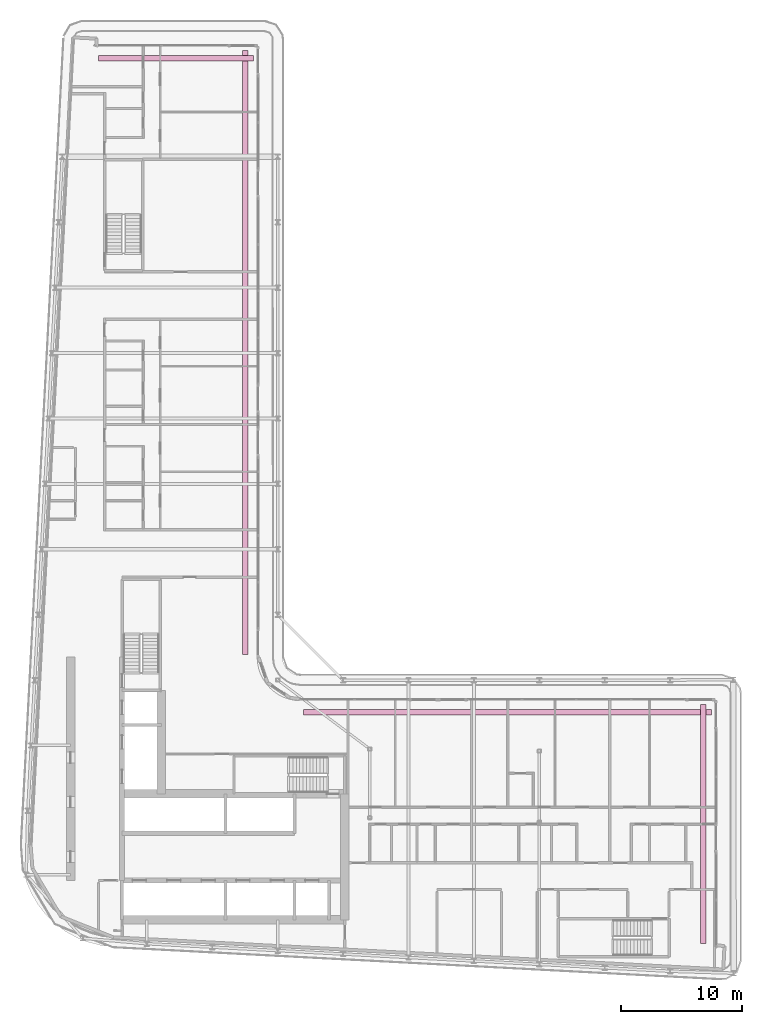
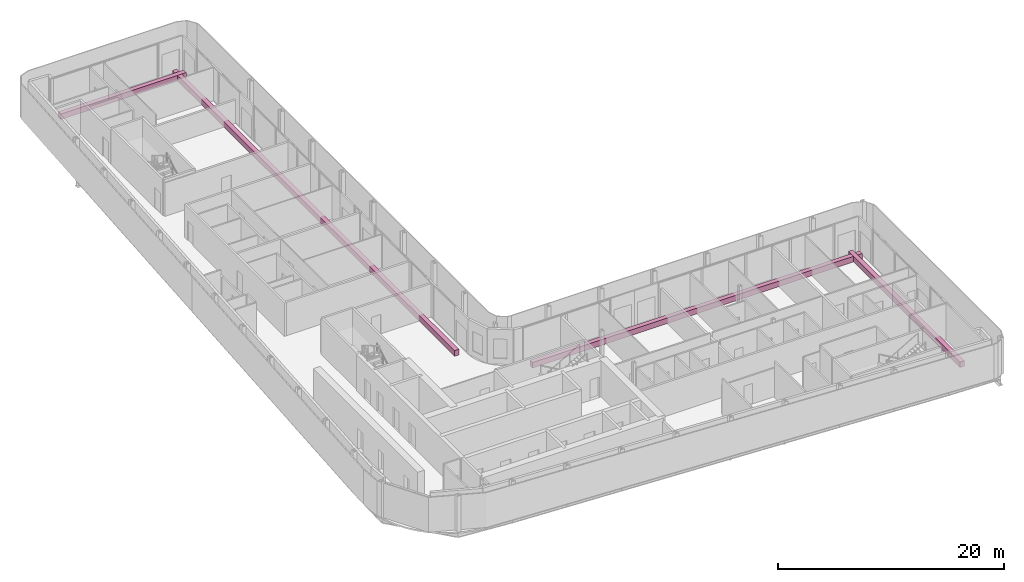
# One storey, part 23 of 23: 4 furniture elements.
"""IFC4 building model written with IfcOpenShell, lengths in metres."""

from ifc_helpers import new_model, si_unit, direction, frame, origin, origin_2d, place, context, subcontext, project, spatial, rectangle, extrude, material, type_object, element, save


model = new_model("IFC4")

# Units and contexts
model_context = context("Model", 3, precision=1e-05, world=origin(), true_north=direction((0.0, 1.0)))
body_context = subcontext(model_context, "Body", "Model", "MODEL_VIEW")
ifc_project = project(units=[si_unit("LENGTHUNIT", "METRE"), si_unit("AREAUNIT", "SQUARE_METRE"), si_unit("VOLUMEUNIT", "CUBIC_METRE"), si_unit("PLANEANGLEUNIT", "RADIAN"), si_unit("MASSUNIT", "GRAM", prefix="KILO")], contexts=[model_context])

# Site, building, storey
site_placement = place(None, origin())
site = spatial("IfcSite", under=ifc_project, at=site_placement, CompositionType="ELEMENT")
building_placement = place(site_placement, origin())
building = spatial("IfcBuilding", under=site, at=building_placement, Name="Kheshtan School and Residences Tower", CompositionType="ELEMENT")
storey_placement = place(building_placement, frame((0.0, 0.0, 247.39990234375)))
storey = spatial("IfcBuildingStorey", under=building, at=storey_placement, Name="L58", CompositionType="ELEMENT", Elevation=247.39990234375)

# Furniture
ifc_material = material(Name="Precast concrete C30/37 in terracotta finish", Category="masonry")
furniture_type = type_object("IfcFurnitureType", Name="Planter trough", AssemblyPlace="NOTDEFINED", PredefinedType="USERDEFINED", material=ifc_material)
furniture_1_placement = place(storey_placement, frame((39.196044921875, 96.925048828125, 0.0), z_axis=(0.0, 0.0, 1.0), x_axis=(1.0, 0.0, 0.0)))
element("IfcFurniture", 1, at=furniture_1_placement, inside=storey, type_object=furniture_type, Name="Planter L58", ObjectType="PLANTER", PredefinedType="USERDEFINED", context=body_context, shape_type="SweptSolid", body=[
    extrude(rectangle(XDim=12.80810546875, YDim=0.449951171875, at=origin_2d()), origin(), (0.0, 0.0, 1.0), 0.60009765625),
])
furniture_2_placement = place(storey_placement, frame((44.925048828125, 72.6650390625, 0.0), z_axis=(0.0, 0.0, 1.0), x_axis=(0.0, -1.0, 0.0)))
element("IfcFurniture", 2, at=furniture_2_placement, inside=storey, type_object=furniture_type, Name="Planter L58", ObjectType="PLANTER", PredefinedType="USERDEFINED", context=body_context, shape_type="SweptSolid", body=[
    extrude(rectangle(XDim=49.8701171875, YDim=0.449951171875, at=origin_2d()), origin(), (0.0, 0.0, 1.0), 0.60009765625),
])
furniture_3_placement = place(storey_placement, frame((66.56494140625, 42.925048828125, 0.0), z_axis=(0.0, 0.0, 1.0), x_axis=(1.0, 0.0, 0.0)))
element("IfcFurniture", 3, at=furniture_3_placement, inside=storey, type_object=furniture_type, Name="Planter L58", ObjectType="PLANTER", PredefinedType="USERDEFINED", context=body_context, shape_type="SweptSolid", body=[
    extrude(rectangle(XDim=33.669921875, YDim=0.449951171875, at=origin_2d()), origin(), (0.0, 0.0, 1.0), 0.60009765625),
])
furniture_4_placement = place(storey_placement, frame((82.72509765625, 33.73291015625, 0.0), z_axis=(0.0, 0.0, 1.0), x_axis=(0.0, -1.0, 0.0)))
element("IfcFurniture", 4, at=furniture_4_placement, inside=storey, type_object=furniture_type, Name="Planter L58", ObjectType="PLANTER", PredefinedType="USERDEFINED", context=body_context, shape_type="SweptSolid", body=[
    extrude(rectangle(XDim=19.73291015625, YDim=0.449951171875, at=origin_2d()), origin(), (0.0, 0.0, 1.0), 0.60009765625),
])

save(model, "model.ifc")
